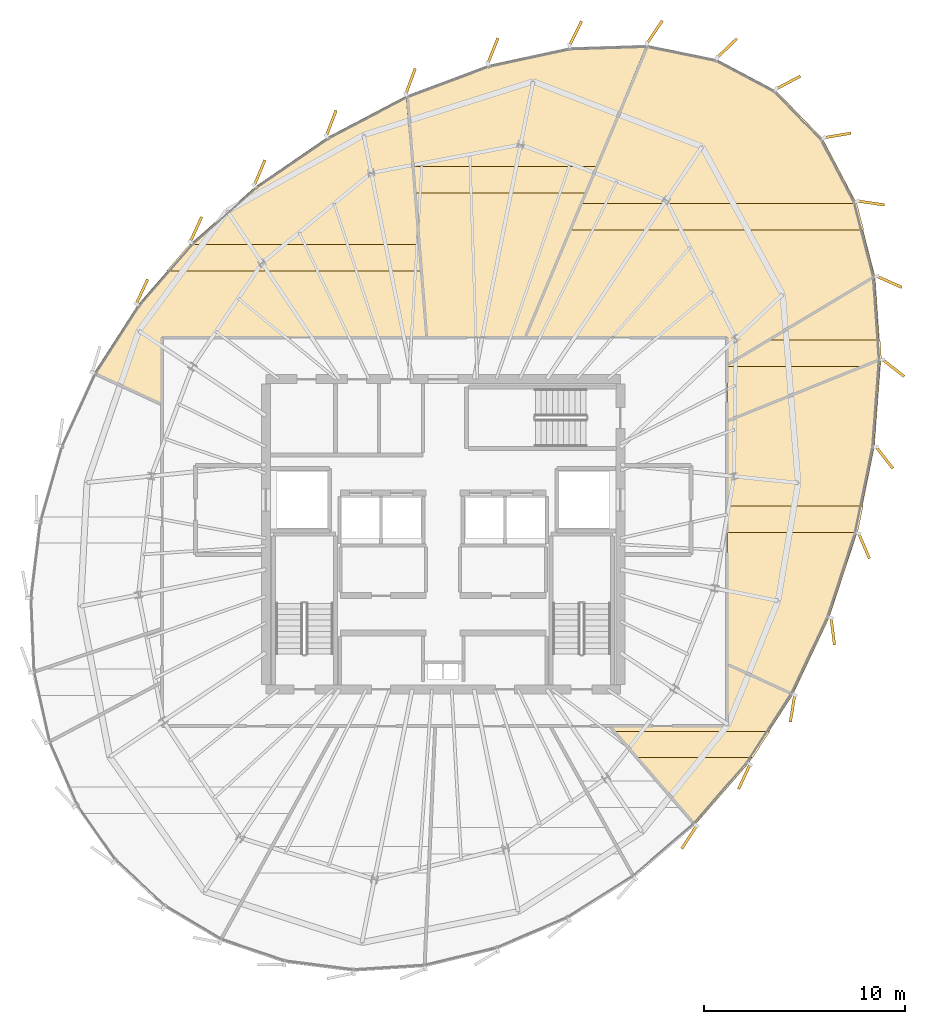
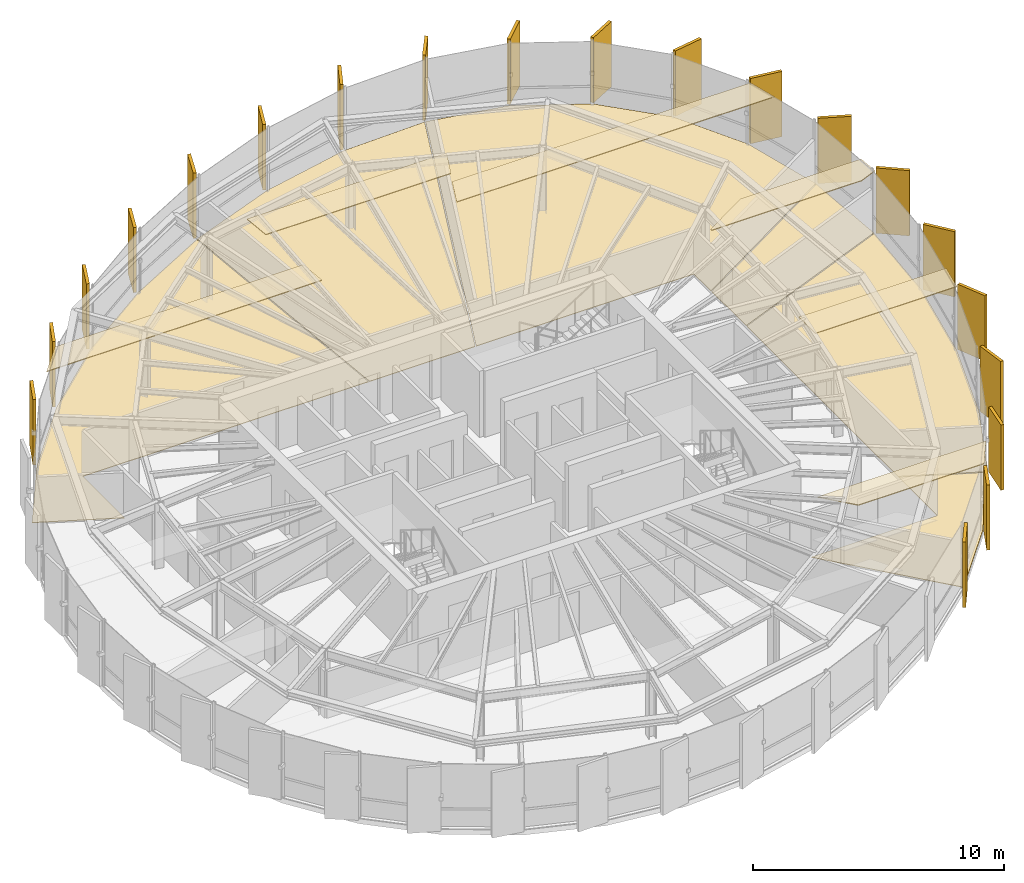
# One storey, part 35 of 35: 32 coverings.
"""IFC4 building model written with IfcOpenShell, lengths in metres."""

from ifc_helpers import new_model, si_unit, direction, frame, origin, origin_2d, place, context, subcontext, project, spatial, polyline, rectangle, outline, extrude, source, transform, mapped, material, layer, layer_set, type_object, element, save


model = new_model("IFC4")

# Units and contexts
model_context = context("Model", 3, precision=1e-05, world=origin(), true_north=direction((0.0, 1.0)))
body_context = subcontext(model_context, "Body", "Model", "MODEL_VIEW")
ifc_project = project(units=[si_unit("LENGTHUNIT", "METRE"), si_unit("AREAUNIT", "SQUARE_METRE"), si_unit("VOLUMEUNIT", "CUBIC_METRE"), si_unit("PLANEANGLEUNIT", "RADIAN"), si_unit("MASSUNIT", "GRAM", prefix="KILO"), si_unit("THERMODYNAMICTEMPERATUREUNIT", "KELVIN")], contexts=[model_context])

# Site, building, storey
site_placement = place(None, origin())
site = spatial("IfcSite", under=ifc_project, at=site_placement, CompositionType="ELEMENT")
building_placement = place(site_placement, origin())
building = spatial("IfcBuilding", under=site, at=building_placement, Name="Kethvar Cultural Tower", CompositionType="ELEMENT")
storey_placement = place(building_placement, frame((0.0, 0.0, 249.10009765625)))
storey = spatial("IfcBuildingStorey", under=building, at=storey_placement, Name="L65", CompositionType="ELEMENT", Elevation=249.10009765625)

# Coverings
ifc_material_1 = material(Name="Acoustic Mineral Fibre Ceiling")
ifc_layer_1 = layer(ifc_material_1, 0.0400390625, Name="Acoustic Mineral Fibre Ceiling")
ifc_layer_set_1 = layer_set([ifc_layer_1], Name="Acoustic Mineral Fibre Ceiling (40 mm)")
covering_type_1 = type_object("IfcCoveringType", Name="CV-ACOUSTIC-CEIL", PredefinedType="CEILING", material=ifc_layer_set_1)
covering_1_placement = place(storey_placement, frame((0.0, 0.0, 3.0)))
element("IfcCovering", 1, at=covering_1_placement, inside=storey, type_object=covering_type_1, Name="L65 Room 06 Acoustic Ceiling Panel", PredefinedType="CEILING", context=body_context, shape_type="SweptSolid", body=[
    extrude(outline(polyline([(55.26513671875, 18.01806640625), (63.02001953125, 18.01806640625), (62.173828125, 16.7080078125), (56.40234375, 16.7080078125), (55.26513671875, 18.01806640625)])), origin(), (0.0, 0.0, 1.0), 0.039794921875),
])
covering_2_placement = place(storey_placement, frame((0.0, 0.0, 3.0)))
element("IfcCovering", 2, at=covering_2_placement, inside=storey, type_object=covering_type_1, Name="L65 Room 07 Acoustic Ceiling Panel", PredefinedType="CEILING", context=body_context, shape_type="SweptSolid", body=[
    extrude(outline(polyline([(67.37451171875, 27.877197265625), (60.867919921875, 27.877197265625), (60.867919921875, 29.187255859375), (67.6396484375, 29.187255859375), (67.37451171875, 27.877197265625)])), origin(), (0.0, 0.0, 1.0), 0.039794921875),
])
covering_3_placement = place(storey_placement, frame((0.0, 0.0, 3.0)))
element("IfcCovering", 3, at=covering_3_placement, inside=storey, type_object=covering_type_1, Name="L65 Room 08 Acoustic Ceiling Panel", PredefinedType="CEILING", context=body_context, shape_type="SweptSolid", body=[
    extrude(outline(polyline([(68.560302734375, 36.457275390625), (67.764892578125, 36.12744140625), (60.867919921875, 36.12744140625), (60.877685546875, 36.211181640625), (62.935791015625, 37.4375), (68.491455078125, 37.4375), (68.560302734375, 36.457275390625)])), origin(), (0.0, 0.0, 1.0), 0.039794921875),
])
covering_4_placement = place(storey_placement, frame((0.0, 0.0, 3.0)))
element("IfcCovering", 4, at=covering_4_placement, inside=storey, type_object=covering_type_1, Name="L65 Room 09 Acoustic Ceiling Panel", PredefinedType="CEILING", context=body_context, shape_type="SweptSolid", body=[
    extrude(outline(polyline([(67.677001953125, 42.89453125), (53.0712890625, 42.89453125), (53.61767578125, 44.20458984375), (67.340576171875, 44.20458984375), (67.677001953125, 42.89453125)])), origin(), (0.0, 0.0, 1.0), 0.039794921875),
])
covering_5_placement = place(storey_placement, frame((0.0, 0.0, 3.0)))
element("IfcCovering", 5, at=covering_5_placement, inside=storey, type_object=covering_type_1, Name="L65 Room 10 Acoustic Ceiling Panel", PredefinedType="CEILING", context=body_context, shape_type="SweptSolid", body=[
    extrude(outline(polyline([(53.879638671875, 44.72900390625), (45.3701171875, 44.72900390625), (45.260986328125, 46.0390625), (54.42578125, 46.0390625), (53.879638671875, 44.72900390625)])), origin(), (0.0, 0.0, 1.0), 0.039794921875),
])
covering_6_placement = place(storey_placement, frame((0.0, 0.0, 3.0)))
element("IfcCovering", 6, at=covering_6_placement, inside=storey, type_object=covering_type_1, Name="L65 Room 11 Acoustic Ceiling Panel", PredefinedType="CEILING", context=body_context, shape_type="SweptSolid", body=[
    extrude(outline(polyline([(34.21240234375, 42.180908203125), (45.622314453125, 42.180908203125), (45.7314453125, 40.87109375), (33.07568359375, 40.87109375), (34.21240234375, 42.180908203125)])), origin(), (0.0, 0.0, 1.0), 0.039794921875),
])
ifc_material_2 = material(Name="Architectural Oak Timber", Category="wood")
ifc_layer_2 = layer(ifc_material_2, 0.02490234375, Name="Architectural Oak Timber", Category="wood")
ifc_layer_set_2 = layer_set([ifc_layer_2], Name="Architectural Oak Timber (25 mm)")
covering_type_2 = type_object("IfcCoveringType", Name="CV-OAK-FLOOR", PredefinedType="FLOORING", material=ifc_layer_set_2)
covering_7_placement = place(storey_placement, origin())
element("IfcCovering", 7, at=covering_7_placement, inside=storey, type_object=covering_type_2, Name="L65 Room 06 Floor Finish", PredefinedType="FLOORING", context=body_context, shape_type="SweptSolid", body=[
    extrude(outline(polyline([(61.94580078125, 16.42822265625), (59.320068359375, 13.408203125), (55.11767578125, 18.2490234375), (60.8974609375, 18.25146484375), (60.907958984375, 21.319091796875), (64.146484375, 19.83642578125), (61.94580078125, 16.42822265625)])), origin(), (0.0, 0.0, 1.0), 0.02490234375),
])
covering_8_placement = place(storey_placement, origin())
element("IfcCovering", 8, at=covering_8_placement, inside=storey, type_object=covering_type_2, Name="L65 Room 07 Floor Finish", PredefinedType="FLOORING", context=body_context, shape_type="SweptSolid", body=[
    extrude(outline(polyline([(68.19580078125, 32.13623046875), (67.3212890625, 27.81591796875), (65.958984375, 23.676513671875), (64.166259765625, 19.871337890625), (60.907958984375, 21.363037109375), (60.907958984375, 33.396728515625), (68.517822265625, 36.427490234375), (68.19580078125, 32.13623046875)])), origin(), (0.0, 0.0, 1.0), 0.02490234375),
])
covering_9_placement = place(storey_placement, origin())
element("IfcCovering", 9, at=covering_9_placement, inside=storey, type_object=covering_type_2, Name="L65 Room 08 Floor Finish", PredefinedType="FLOORING", context=body_context, shape_type="SweptSolid", body=[
    extrude(outline(polyline([(68.519287109375, 36.470947265625), (60.907958984375, 33.43994140625), (60.907958984375, 36.1826171875), (68.23291015625, 40.54736328125), (68.519287109375, 36.470947265625)])), origin(), (0.0, 0.0, 1.0), 0.02490234375),
])
covering_10_placement = place(storey_placement, origin())
element("IfcCovering", 10, at=covering_10_placement, inside=storey, type_object=covering_type_2, Name="L65 Room 09 Floor Finish", PredefinedType="FLOORING", context=body_context, shape_type="SweptSolid", body=[
    extrude(outline(polyline([(67.277099609375, 44.290771484375), (68.2275390625, 40.590576171875), (60.907958984375, 36.229248046875), (60.889892578125, 37.581787109375), (50.89990234375, 37.58203125), (56.936767578125, 52.06201171875), (60.37841796875, 51.358154296875), (63.316162109375, 49.79736328125), (65.634521484375, 47.411865234375), (67.277099609375, 44.290771484375)])), origin(), (0.0, 0.0, 1.0), 0.02490234375),
])
covering_11_placement = place(storey_placement, origin())
element("IfcCovering", 11, at=covering_11_placement, inside=storey, type_object=covering_type_2, Name="L65 Room 10 Floor Finish", PredefinedType="FLOORING", context=body_context, shape_type="SweptSolid", body=[
    extrude(outline(polyline([(49.05419921875, 51.0732421875), (53.09130859375, 51.94482421875), (56.894287109375, 52.06396484375), (50.856689453125, 37.58203125), (46.00537109375, 37.58203125), (45.0078125, 49.56103515625), (49.05419921875, 51.0732421875)])), origin(), (0.0, 0.0, 1.0), 0.02490234375),
])
covering_12_placement = place(storey_placement, origin())
element("IfcCovering", 12, at=covering_12_placement, inside=storey, type_object=covering_type_2, Name="L65 Room 11 Floor Finish", PredefinedType="FLOORING", context=body_context, shape_type="SweptSolid", body=[
    extrude(outline(polyline([(31.654296875, 39.171630859375), (34.327392578125, 42.25244140625), (37.4951171875, 45.0478515625), (41.090087890625, 47.510986328125), (44.96923828125, 49.542724609375), (45.96533203125, 37.58203125), (32.84423828125, 37.5810546875), (32.830078125, 34.265625), (29.486572265625, 35.8076171875), (31.654296875, 39.171630859375)])), origin(), (0.0, 0.0, 1.0), 0.02490234375),
])
ifc_material_3 = material(Name="Extruded Architectural Terracotta", Category="masonry")
ifc_layer_3 = layer(ifc_material_3, 0.135009765625, Name="Extruded Architectural Terracotta", Category="masonry")
ifc_layer_set_3 = layer_set([ifc_layer_3], Name="Extruded Architectural Terracotta (135 mm)")
covering_type_3 = type_object("IfcCoveringType", Name="Terracotta Facade Fin FIN-03", PredefinedType="CLADDING", material=ifc_layer_set_3)
shared_shape = source(origin(), body_context, "Body", "SweptSolid", [
    extrude(rectangle(XDim=1.35009765625, YDim=0.135009765625, at=origin_2d()), origin(), (0.0, 0.0, 1.0), 3.169921875),
])
for number, where, z_axis, x_axis, name in (
    (13, (63.931640625, 50.215087890625, 0.02001953125), (0.0, 0.0, 1.0), (0.885150113672, 0.465305573002, 0.0), "L65 Vertical Terracotta Fin 1.1"),
    (14, (60.888916015625, 51.92236328125, 0.02001953125), (0.0, 0.0, 1.0), (0.722243259262, 0.691639121545, 0.0), "L65 Vertical Terracotta Fin 1.2"),
    (15, (57.30126953125, 52.723388671875, 0.02001953125), (0.0, 0.0, 1.0), (0.561650242447, 0.827374767055, 0.0), "L65 Vertical Terracotta Fin 1.3"),
    (16, (53.36962890625, 52.64892578125, 0.02001953125), (0.0, 0.0, 1.0), (0.440879340739, 0.897566380225, 0.0), "L65 Vertical Terracotta Fin 1.4"),
    (17, (49.27001953125, 51.794677734375, 0.02001953125), (0.0, 0.0, 1.0), (0.369422406303, 0.929261580892, 0.0), "L65 Vertical Terracotta Fin 1.5"),
    (18, (45.182373046875, 50.27880859375, 0.02001953125), (0.0, 0.0, 1.0), (0.344970582103, 0.93861349739, 0.0), "L65 Vertical Terracotta Fin 1.6"),
    (19, (41.247314453125, 48.203857421875, 0.02001953125), (0.0, 0.0, 1.0), (0.358856721967, 0.933392657513, 0.0), "L65 Vertical Terracotta Fin 2.1"),
    (20, (37.693603515625, 45.744873046875, 0.02001953125), (0.0, 0.0, 1.0), (0.390731128489, 0.920504853452, 0.0), "L65 Vertical Terracotta Fin 2.2"),
    (21, (34.536376953125, 42.931640625, 0.02001953125), (0.0, 0.0, 1.0), (0.420244107924, 0.907411091929, 0.0), "L65 Vertical Terracotta Fin 2.3"),
    (22, (31.85400390625, 39.83984375, 0.02001953125), (0.0, 0.0, 1.0), (0.419293639, 0.907850672905, 0.0), "L65 Vertical Terracotta Fin 2.4"),
    (23, (59.0126953125, 12.759033203125, 0.02001953125), (0.0, 0.0, 1.0), (-0.544639035015, -0.838670567945, 0.0), "L65 Vertical Terracotta Fin 5.3"),
    (24, (61.7451171875, 15.76025390625, 0.02001953125), (0.0, 0.0, 1.0), (-0.420244107924, -0.907411091929, 0.0), "L65 Vertical Terracotta Fin 5.4"),
    (25, (64.140869140625, 19.14453125, 0.02001953125), (0.0, 0.0, 1.0), (-0.159191997666, -0.98724764263, 0.0), "L65 Vertical Terracotta Fin 5.5"),
    (26, (66.1396484375, 22.974609375, 0.02001953125), (0.0, 0.0, 1.0), (0.127583945876, -0.991827775753, 0.0), "L65 Vertical Terracotta Fin 5.6"),
    (27, (67.692138671875, 27.209716796875, 0.02001953125), (0.0, 0.0, 1.0), (0.394262724343, -0.918997771593, 0.0), "L65 Vertical Terracotta Fin 6.1"),
    (28, (68.7099609375, 31.5947265625, 0.02001953125), (0.0, 0.0, 1.0), (0.613871952452, -0.789405615633, 0.0), "L65 Vertical Terracotta Fin 6.2"),
    (29, (69.150634765625, 36.04638671875, 0.02001953125), (0.0, 0.0, 1.0), (0.786180583316, -0.617996836899, 0.0), "L65 Vertical Terracotta Fin 6.3"),
    (30, (68.945068359375, 40.326904296875, 0.02001953125), (0.0, 0.0, 1.0), (0.913900054426, -0.405939269498, 0.0), "L65 Vertical Terracotta Fin 6.4"),
    (31, (68.034912109375, 44.23876953125, 0.02001953125), (0.0, 0.0, 1.0), (0.989751322388, -0.142801680073, 0.0), "L65 Vertical Terracotta Fin 6.5"),
    (32, (66.3740234375, 47.5908203125, 0.02001953125), (0.0, 0.0, 1.0), (0.986314392757, 0.164875464037, 0.0), "L65 Vertical Terracotta Fin 6.6"),
):
    element("IfcCovering", number, at=place(storey_placement, frame(where, z_axis=z_axis, x_axis=x_axis)), inside=storey, type_object=covering_type_3, Name=name, PredefinedType="CLADDING", context=body_context, shape_type="MappedRepresentation", body=[
        mapped(shared_shape, transform((0.0, 0.0, 0.0), scale=1.0)),
    ])

save(model, "model.ifc")
